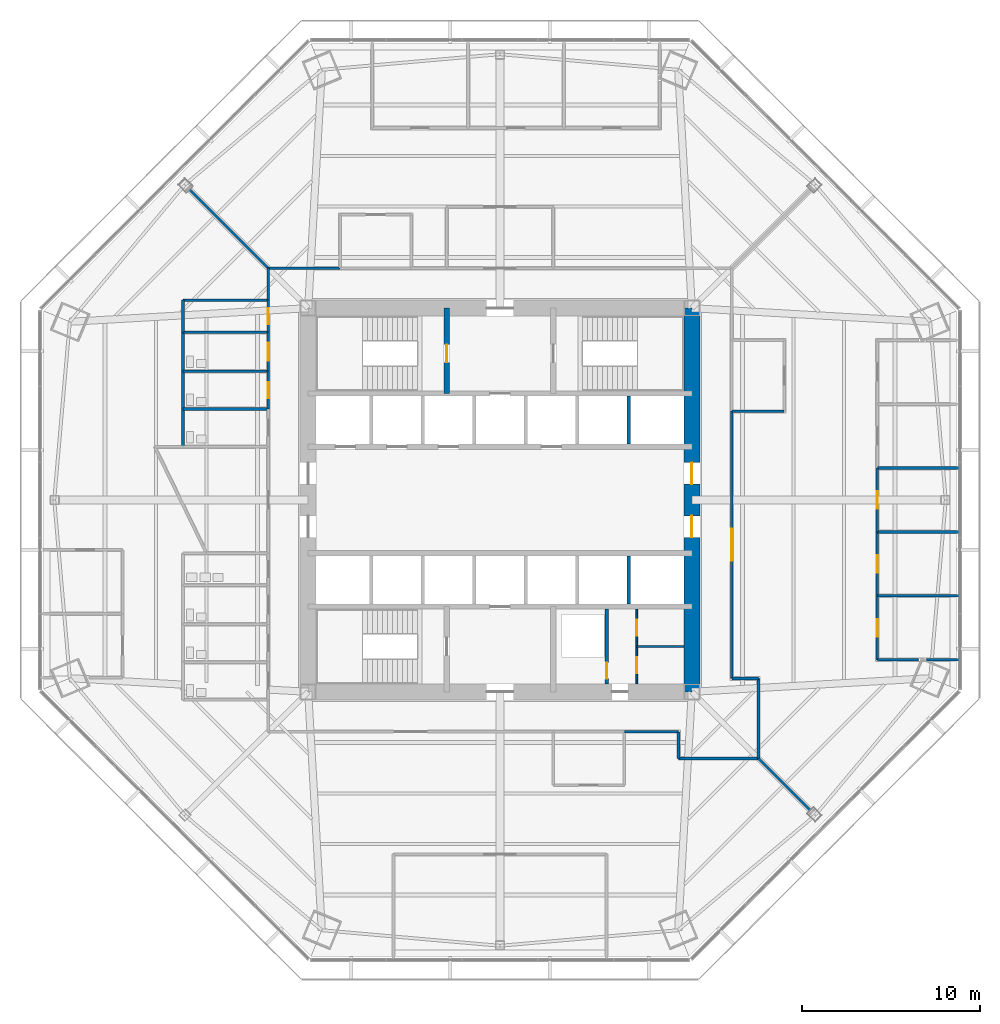
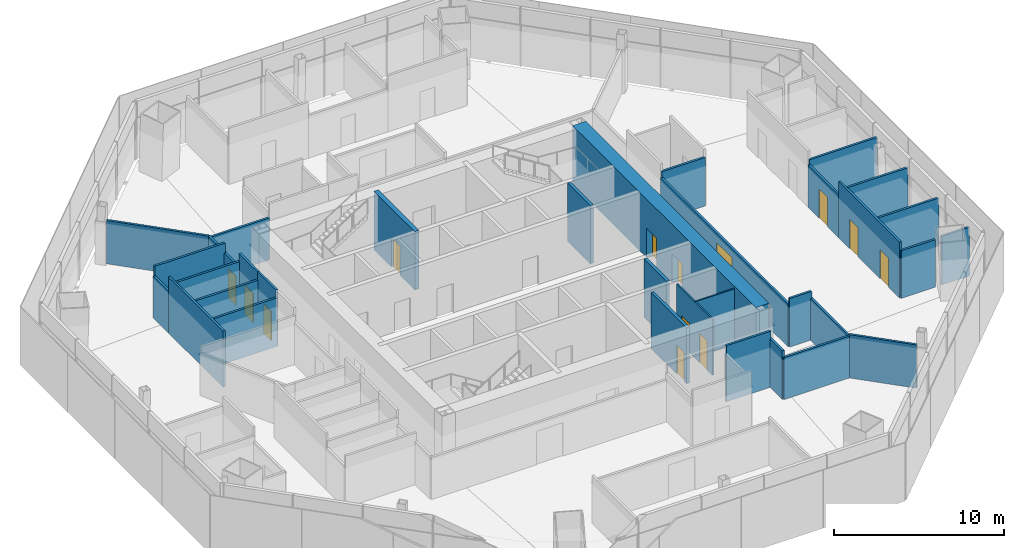
# One storey, part 10 of 15: 34 walls, 13 doors, 13 openings.
"""IFC4 building model written with IfcOpenShell, lengths in metres."""

from ifc_helpers import new_model, si_unit, direction, frame, frame_2d, origin, place, context, subcontext, project, spatial, rectangle, extrude, material, layer, layer_set, type_object, element, fill, save


model = new_model("IFC4")

# Units and contexts
model_context = context("Model", 3, precision=1e-05, world=origin(), true_north=direction((0.0, 1.0)))
body_context = subcontext(model_context, "Body", "Model", "MODEL_VIEW")
ifc_project = project(units=[si_unit("LENGTHUNIT", "METRE"), si_unit("AREAUNIT", "SQUARE_METRE"), si_unit("VOLUMEUNIT", "CUBIC_METRE"), si_unit("PLANEANGLEUNIT", "RADIAN"), si_unit("MASSUNIT", "GRAM", prefix="KILO")], contexts=[model_context])

# Site, building, storey
site_placement = place(None, origin())
site = spatial("IfcSite", under=ifc_project, at=site_placement, CompositionType="ELEMENT")
building_placement = place(site_placement, origin())
building = spatial("IfcBuilding", under=site, at=building_placement, Name="Mashrafa Tower", CompositionType="ELEMENT")
storey_placement = place(building_placement, frame((0.0, 0.0, 75.0)))
storey = spatial("IfcBuildingStorey", under=building, at=storey_placement, Name="L16", CompositionType="ELEMENT", Elevation=75.0)

# Wall, opening, door
ifc_material_1 = material(Name="Concrete masonry unit", Category="masonry")
ifc_layer_1 = layer(ifc_material_1, 0.199951171875)
ifc_layer_set_1 = layer_set([ifc_layer_1], Name="Blockwork wall 200 2 hr")
wall_type_1 = type_object("IfcWallType", Name="Blockwork wall 200 2 hr", PredefinedType="PARTITIONING", material=ifc_layer_set_1)
wall_1_placement = place(storey_placement, frame((6.0, -10.35009765625, 0.0), z_axis=(0.0, 0.0, 1.0), x_axis=(0.0, 1.0, 0.0)))
wall_1 = element("IfcWall", 1, at=wall_1_placement, inside=storey, type_object=wall_type_1, Name="Riser enclosure wall L16", PredefinedType="PARTITIONING", context=body_context, shape_type="SweptSolid", body=[
    extrude(rectangle(XDim=4.2001953125, YDim=0.199951171875, at=frame_2d((2.10009765625, 0.0))), origin(), (0.0, 0.0, 1.0), 4.034912109375),
])
opening_1_placement = place(wall_1_placement, frame((0.300048828125, 0.0, 0.0)))
opening_1 = element("IfcOpeningElement", 2, at=opening_1_placement, cuts=wall_1, Name="Opening 16.038", PredefinedType="OPENING", context=body_context, shape_type="SweptSolid", body=[
    extrude(rectangle(XDim=0.89990234375, YDim=2.10009765625, at=frame_2d((0.449951171875, 1.050048828125))), frame((0.0, 0.10986328125, 0.0), z_axis=(0.0, -1.0, 0.0), x_axis=(1.0, 0.0, 0.0)), (0.0, 0.0, 1.0), 0.219970703125),
])
ifc_material_2 = material(Name="Steel door", Category="steel")
door_type_1 = type_object("IfcDoorType", Name="Service door 900 x 2100 90 min", OperationType="USERDEFINED", PredefinedType="DOOR", material=ifc_material_2)
door_1_placement = place(opening_1_placement, origin())
door_1 = element("IfcDoor", 3, at=door_1_placement, inside=storey, type_object=door_type_1, Name="Riser door L16", OperationType="SINGLE_SWING_LEFT", OverallHeight=2.10009765625, OverallWidth=0.89990234375, PredefinedType="DOOR", context=body_context, shape_type="SweptSolid", body=[
    extrude(rectangle(XDim=0.89990234375, YDim=2.10009765625, at=frame_2d((0.449951171875, 1.050048828125))), frame((0.0, 0.02490234375, 0.0), z_axis=(0.0, -1.0, 0.0), x_axis=(1.0, 0.0, 0.0)), (0.0, 0.0, 1.0), 0.050048828125),
])
fill(opening_1, door_1)

ifc_material_3 = material(Name="Concrete C60/75", Category="concrete")
ifc_layer_2 = layer(ifc_material_3, 0.300048828125)
ifc_layer_set_2 = layer_set([ifc_layer_2], Name="Core wall 300 C60/75")
wall_type_2 = type_object("IfcWallType", Name="Core wall 300 C60/75", PredefinedType="SOLIDWALL", material=ifc_layer_set_2)
wall_2_placement = place(storey_placement, frame((-3.0, 6.0, 0.0), z_axis=(0.0, 0.0, 1.0), x_axis=(0.0, 1.0, 0.0)))
wall_2 = element("IfcWall", 4, at=wall_2_placement, inside=storey, type_object=wall_type_2, Name="Core wall CX-NW L16", PredefinedType="SOLIDWALL", context=body_context, shape_type="SweptSolid", body=[
    extrude(rectangle(XDim=4.800048828125, YDim=0.300048828125, at=frame_2d((2.39990234375, 0.0))), origin(), (0.0, 0.0, 1.0), 4.199951171875),
])
opening_2_placement = place(wall_2_placement, frame((1.75, 0.0, 0.0)))
opening_2 = element("IfcOpeningElement", 5, at=opening_2_placement, cuts=wall_2, Name="Opening 16.034", PredefinedType="OPENING", context=body_context, shape_type="SweptSolid", body=[
    extrude(rectangle(XDim=1.0, YDim=2.10009765625, at=frame_2d((0.5, 1.050048828125))), frame((0.0, 0.159912109375, 0.0), z_axis=(0.0, -1.0, 0.0), x_axis=(1.0, 0.0, 0.0)), (0.0, 0.0, 1.0), 0.320068359375),
])
ifc_material_4 = material(Name="Steel door", Category="steel")
door_type_2 = type_object("IfcDoorType", Name="Stair door 1000 x 2100 90 min", OperationType="USERDEFINED", PredefinedType="DOOR", material=ifc_material_4)
door_2_placement = place(opening_2_placement, origin())
door_2 = element("IfcDoor", 6, at=door_2_placement, inside=storey, type_object=door_type_2, Name="Stair S1 door L16", OperationType="SINGLE_SWING_LEFT", OverallHeight=2.10009765625, OverallWidth=1.0, PredefinedType="DOOR", context=body_context, shape_type="SweptSolid", body=[
    extrude(rectangle(XDim=1.0, YDim=2.10009765625, at=frame_2d((0.5, 1.050048828125))), frame((0.0, 0.02490234375, 0.0), z_axis=(0.0, -1.0, 0.0), x_axis=(1.0, 0.0, 0.0)), (0.0, 0.0, 1.0), 0.050048828125),
])
fill(opening_2, door_2)

# Wall, openings, doors
ifc_material_5 = material(Name="Concrete C60/75", Category="concrete")
ifc_layer_3 = layer(ifc_material_5, 0.89990234375)
ifc_layer_set_3 = layer_set([ifc_layer_3], Name="Core wall 900 C60/75")
wall_type_3 = type_object("IfcWallType", Name="Core wall 900 C60/75", PredefinedType="SOLIDWALL", material=ifc_layer_set_3)
wall_3_placement = place(storey_placement, frame((10.800048828125, -10.800048828125, 0.0), z_axis=(0.0, 0.0, 1.0), x_axis=(0.0, 1.0, 0.0)))
wall_3 = element("IfcWall", 7, at=wall_3_placement, inside=storey, type_object=wall_type_3, Name="Core wall CW-E L16", PredefinedType="SOLIDWALL", context=body_context, shape_type="SweptSolid", body=[
    extrude(rectangle(XDim=21.60009765625, YDim=0.89990234375, at=frame_2d((10.800048828125, 0.0))), origin(), (0.0, 0.0, 1.0), 4.199951171875),
])
opening_3_placement = place(wall_3_placement, frame((11.699951171875, 0.0, 0.0)))
opening_3 = element("IfcOpeningElement", 8, at=opening_3_placement, cuts=wall_3, Name="Opening 16.028", PredefinedType="OPENING", context=body_context, shape_type="SweptSolid", body=[
    extrude(rectangle(XDim=1.199951171875, YDim=2.10009765625, at=frame_2d((0.60009765625, 1.050048828125))), frame((0.0, 0.4599609375, 0.0), z_axis=(0.0, -1.0, 0.0), x_axis=(1.0, 0.0, 0.0)), (0.0, 0.0, 1.0), 0.919921875),
])
opening_4_placement = place(wall_3_placement, frame((8.699951171875, 0.0, 0.0)))
opening_4 = element("IfcOpeningElement", 9, at=opening_4_placement, cuts=wall_3, Name="Opening 16.030", PredefinedType="OPENING", context=body_context, shape_type="SweptSolid", body=[
    extrude(rectangle(XDim=1.199951171875, YDim=2.10009765625, at=frame_2d((0.60009765625, 1.050048828125))), frame((0.0, 0.4599609375, 0.0), z_axis=(0.0, -1.0, 0.0), x_axis=(1.0, 0.0, 0.0)), (0.0, 0.0, 1.0), 0.919921875),
])
ifc_material_6 = material(Name="Steel door", Category="steel")
door_type_3 = type_object("IfcDoorType", Name="Lift hall door 1200 x 2100 90 min", OperationType="USERDEFINED", PredefinedType="DOOR", material=ifc_material_6)
door_3_placement = place(opening_3_placement, frame((1.199951171875, 0.0, 0.0), z_axis=(0.0, 0.0, 1.0), x_axis=(-1.0, 0.0, 0.0)))
door_3 = element("IfcDoor", 10, at=door_3_placement, inside=storey, type_object=door_type_3, Name="Lift hall door east L16", OperationType="SINGLE_SWING_LEFT", OverallHeight=2.10009765625, OverallWidth=1.199951171875, PredefinedType="DOOR", context=body_context, shape_type="SweptSolid", body=[
    extrude(rectangle(XDim=1.199951171875, YDim=2.10009765625, at=frame_2d((0.60009765625, 1.050048828125))), frame((0.0, 0.02490234375, 0.0), z_axis=(0.0, -1.0, 0.0), x_axis=(1.0, 0.0, 0.0)), (0.0, 0.0, 1.0), 0.050048828125),
])
fill(opening_3, door_3)
door_4_placement = place(opening_4_placement, frame((1.199951171875, 0.0, 0.0), z_axis=(0.0, 0.0, 1.0), x_axis=(-1.0, 0.0, 0.0)))
door_4 = element("IfcDoor", 11, at=door_4_placement, inside=storey, type_object=door_type_3, Name="Lift hall door east L16", OperationType="SINGLE_SWING_RIGHT", OverallHeight=2.10009765625, OverallWidth=1.199951171875, PredefinedType="DOOR", context=body_context, shape_type="SweptSolid", body=[
    extrude(rectangle(XDim=1.199951171875, YDim=2.10009765625, at=frame_2d((0.60009765625, 1.050048828125))), frame((0.0, 0.02490234375, 0.0), z_axis=(0.0, -1.0, 0.0), x_axis=(1.0, 0.0, 0.0)), (0.0, 0.0, 1.0), 0.050048828125),
])
fill(opening_4, door_4)

# Wall, opening, door
ifc_material_7 = material(Name="Gypsum board on steel studs", Category="steel")
ifc_layer_4 = layer(ifc_material_7, 0.14990234375)
ifc_layer_set_4 = layer_set([ifc_layer_4], Name="Corridor partition 150 1 hr")
wall_type_4 = type_object("IfcWallType", Name="Corridor partition 150 1 hr", PredefinedType="PARTITIONING", material=ifc_layer_set_4)
wall_4_placement = place(storey_placement, frame((-13.050048828125, 7.2509765625, 0.0), z_axis=(0.0, 0.0, 1.0), x_axis=(0.0, -1.0, 0.0)))
wall_4 = element("IfcWall", 12, at=wall_4_placement, inside=storey, type_object=wall_type_4, Name="Corridor wall L16-002", PredefinedType="PARTITIONING", context=body_context, shape_type="SweptSolid", body=[
    extrude(rectangle(XDim=2.126953125, YDim=0.14990234375, at=frame_2d((1.0634765625, 0.0))), origin(), (0.0, 0.0, 1.0), 4.034912109375),
])
opening_5_placement = place(wall_4_placement, frame((0.613525390625, 0.0, 0.0)))
opening_5 = element("IfcOpeningElement", 13, at=opening_5_placement, cuts=wall_4, Name="Opening 16.002", PredefinedType="OPENING", context=body_context, shape_type="SweptSolid", body=[
    extrude(rectangle(XDim=0.89990234375, YDim=2.10009765625, at=frame_2d((0.449951171875, 1.050048828125))), frame((0.0, 0.0849609375, 0.0), z_axis=(0.0, -1.0, 0.0), x_axis=(1.0, 0.0, 0.0)), (0.0, 0.0, 1.0), 0.169921875),
])
ifc_material_8 = material(Name="Timber door", Category="wood")
door_type_4 = type_object("IfcDoorType", Name="Toilet door 900 x 2100", OperationType="USERDEFINED", PredefinedType="DOOR", material=ifc_material_8)
door_5_placement = place(opening_5_placement, frame((0.89990234375, 0.0, 0.0), z_axis=(0.0, 0.0, 1.0), x_axis=(-1.0, 0.0, 0.0)))
door_5 = element("IfcDoor", 14, at=door_5_placement, inside=storey, type_object=door_type_4, Name="WC Male L16 N door", OperationType="SINGLE_SWING_LEFT", OverallHeight=2.10009765625, OverallWidth=0.89990234375, PredefinedType="DOOR", context=body_context, shape_type="SweptSolid", body=[
    extrude(rectangle(XDim=0.89990234375, YDim=2.10009765625, at=frame_2d((0.449951171875, 1.050048828125))), frame((0.0, 0.02490234375, 0.0), z_axis=(0.0, -1.0, 0.0), x_axis=(1.0, 0.0, 0.0)), (0.0, 0.0, 1.0), 0.050048828125),
])
fill(opening_5, door_5)

wall_5_placement = place(storey_placement, frame((-13.050048828125, 9.450927734375, 0.0), z_axis=(0.0, 0.0, 1.0), x_axis=(0.0, -1.0, 0.0)))
wall_5 = element("IfcWall", 15, at=wall_5_placement, inside=storey, type_object=wall_type_4, Name="Corridor wall L16-003", PredefinedType="PARTITIONING", context=body_context, shape_type="SweptSolid", body=[
    extrude(rectangle(XDim=2.201904296875, YDim=0.14990234375, at=frame_2d((1.10107421875, 0.0))), origin(), (0.0, 0.0, 1.0), 4.034912109375),
])
opening_6_placement = place(wall_5_placement, frame((0.60107421875, 0.0, 0.0)))
opening_6 = element("IfcOpeningElement", 16, at=opening_6_placement, cuts=wall_5, Name="Opening 16.003", PredefinedType="OPENING", context=body_context, shape_type="SweptSolid", body=[
    extrude(rectangle(XDim=1.0, YDim=2.10009765625, at=frame_2d((0.5, 1.050048828125))), frame((0.0, 0.0849609375, 0.0), z_axis=(0.0, -1.0, 0.0), x_axis=(1.0, 0.0, 0.0)), (0.0, 0.0, 1.0), 0.169921875),
])
ifc_material_9 = material(Name="Timber door", Category="wood")
door_type_5 = type_object("IfcDoorType", Name="Accessible toilet door 1000 x 2100", OperationType="USERDEFINED", PredefinedType="DOOR", material=ifc_material_9)
door_6_placement = place(opening_6_placement, frame((1.0, 0.0, 0.0), z_axis=(0.0, 0.0, 1.0), x_axis=(-1.0, 0.0, 0.0)))
door_6 = element("IfcDoor", 17, at=door_6_placement, inside=storey, type_object=door_type_5, Name="Accessible WC L16 N door", OperationType="SINGLE_SWING_RIGHT", OverallHeight=2.10009765625, OverallWidth=1.0, PredefinedType="DOOR", context=body_context, shape_type="SweptSolid", body=[
    extrude(rectangle(XDim=1.0, YDim=2.10009765625, at=frame_2d((0.5, 1.050048828125))), frame((0.0, 0.02490234375, 0.0), z_axis=(0.0, -1.0, 0.0), x_axis=(1.0, 0.0, 0.0)), (0.0, 0.0, 1.0), 0.050048828125),
])
fill(opening_6, door_6)

wall_6_placement = place(storey_placement, frame((-13.050048828125, 11.2509765625, 0.0), z_axis=(0.0, 0.0, 1.0), x_axis=(0.0, -1.0, 0.0)))
wall_6 = element("IfcWall", 18, at=wall_6_placement, inside=storey, type_object=wall_type_4, Name="Corridor wall L16-004", PredefinedType="PARTITIONING", context=body_context, shape_type="SweptSolid", body=[
    extrude(rectangle(XDim=1.802001953125, YDim=0.14990234375, at=frame_2d((0.90087890625, 0.0))), origin(), (0.0, 0.0, 1.0), 3.01416015625),
])
opening_7_placement = place(wall_6_placement, frame((0.450927734375, 0.0, 0.0)))
opening_7 = element("IfcOpeningElement", 19, at=opening_7_placement, cuts=wall_6, Name="Opening 16.004", PredefinedType="OPENING", context=body_context, shape_type="SweptSolid", body=[
    extrude(rectangle(XDim=0.89990234375, YDim=2.10009765625, at=frame_2d((0.449951171875, 1.050048828125))), frame((0.0, 0.0849609375, 0.0), z_axis=(0.0, -1.0, 0.0), x_axis=(1.0, 0.0, 0.0)), (0.0, 0.0, 1.0), 0.169921875),
])
ifc_material_10 = material(Name="Timber door", Category="wood")
door_type_6 = type_object("IfcDoorType", Name="Store door 900 x 2100", OperationType="USERDEFINED", PredefinedType="DOOR", material=ifc_material_10)
door_7_placement = place(opening_7_placement, frame((0.89990234375, 0.0, 0.0), z_axis=(0.0, 0.0, 1.0), x_axis=(-1.0, 0.0, 0.0)))
door_7 = element("IfcDoor", 20, at=door_7_placement, inside=storey, type_object=door_type_6, Name="Cleaner's Store L16 N door", OperationType="SINGLE_SWING_LEFT", OverallHeight=2.10009765625, OverallWidth=0.89990234375, PredefinedType="DOOR", context=body_context, shape_type="SweptSolid", body=[
    extrude(rectangle(XDim=0.89990234375, YDim=2.10009765625, at=frame_2d((0.449951171875, 1.050048828125))), frame((0.0, 0.02490234375, 0.0), z_axis=(0.0, -1.0, 0.0), x_axis=(1.0, 0.0, 0.0)), (0.0, 0.0, 1.0), 0.050048828125),
])
fill(opening_7, door_7)

# Walls
wall_7_placement = place(storey_placement, frame((-8.9990234375, 13.050048828125, 0.0), z_axis=(0.0, 0.0, 1.0), x_axis=(-1.0, 0.0, 0.0)))
element("IfcWall", 21, at=wall_7_placement, inside=storey, type_object=wall_type_4, Name="Corridor wall L16-014", PredefinedType="PARTITIONING", context=body_context, shape_type="SweptSolid", body=[
    extrude(rectangle(XDim=4.051025390625, YDim=0.14990234375, at=frame_2d((2.025390625, 0.0))), origin(), (0.0, 0.0, 1.0), 3.01416015625),
])
wall_8_placement = place(storey_placement, frame((14.550048828125, -14.550048828125, 0.0), z_axis=(0.0, 0.0, 1.0), x_axis=(0.0, 1.0, 0.0)))
element("IfcWall", 22, at=wall_8_placement, inside=storey, type_object=wall_type_4, Name="Corridor wall L16-018", PredefinedType="PARTITIONING", context=body_context, shape_type="SweptSolid", body=[
    extrude(rectangle(XDim=4.5, YDim=0.14990234375, at=frame_2d((2.25, 0.0))), origin(), (0.0, 0.0, 1.0), 3.01416015625),
])
wall_9_placement = place(storey_placement, frame((14.550048828125, -10.050048828125, 0.0), z_axis=(0.0, 0.0, 1.0), x_axis=(-1.0, 0.0, 0.0)))
element("IfcWall", 23, at=wall_9_placement, inside=storey, type_object=wall_type_4, Name="Corridor wall L16-019", PredefinedType="PARTITIONING", context=body_context, shape_type="SweptSolid", body=[
    extrude(rectangle(XDim=1.5, YDim=0.14990234375, at=frame_2d((0.75, 0.0))), origin(), (0.0, 0.0, 1.0), 3.49169921875),
])

# Wall, opening, door
wall_10_placement = place(storey_placement, frame((13.050048828125, -10.050048828125, 0.0), z_axis=(0.0, 0.0, 1.0), x_axis=(0.0, 1.0, 0.0)))
wall_10 = element("IfcWall", 24, at=wall_10_placement, inside=storey, type_object=wall_type_4, Name="Corridor wall L16-020", PredefinedType="PARTITIONING", context=body_context, shape_type="SweptSolid", body=[
    extrude(rectangle(XDim=15.051025390625, YDim=0.14990234375, at=frame_2d((7.525390625, 0.0))), origin(), (0.0, 0.0, 1.0), 3.06494140625),
])
opening_8_placement = place(wall_10_placement, frame((6.62548828125, 0.0, 0.0)))
opening_8 = element("IfcOpeningElement", 25, at=opening_8_placement, cuts=wall_10, Name="Opening 16.026", PredefinedType="OPENING", context=body_context, shape_type="SweptSolid", body=[
    extrude(rectangle(XDim=1.800048828125, YDim=2.39990234375, at=frame_2d((0.89990234375, 1.199951171875))), frame((0.0, 0.0849609375, 0.0), z_axis=(0.0, -1.0, 0.0), x_axis=(1.0, 0.0, 0.0)), (0.0, 0.0, 1.0), 0.169921875),
])
ifc_material_11 = material(Name="Timber door", Category="wood")
door_type_7 = type_object("IfcDoorType", Name="Door pair 1800 x 2400", OperationType="DOUBLE_DOOR_SINGLE_SWING", PredefinedType="DOOR", material=ifc_material_11)
door_8_placement = place(opening_8_placement, frame((1.800048828125, 0.0, 0.0), z_axis=(0.0, 0.0, 1.0), x_axis=(-1.0, 0.0, 0.0)))
door_8 = element("IfcDoor", 26, at=door_8_placement, inside=storey, type_object=door_type_7, Name="Office Tenancy 16-E door", OperationType="DOUBLE_DOOR_SINGLE_SWING", OverallHeight=2.39990234375, OverallWidth=1.800048828125, PredefinedType="DOOR", context=body_context, shape_type="SweptSolid", body=[
    extrude(rectangle(XDim=1.800048828125, YDim=2.39990234375, at=frame_2d((0.89990234375, 1.199951171875))), frame((0.0, 0.02490234375, 0.0), z_axis=(0.0, -1.0, 0.0), x_axis=(1.0, 0.0, 0.0)), (0.0, 0.0, 1.0), 0.050048828125),
])
fill(opening_8, door_8)

# Walls
wall_11_placement = place(storey_placement, frame((-13.050048828125, 13.050048828125, 0.0), z_axis=(0.0, 0.0, 1.0), x_axis=(0.0, -1.0, 0.0)))
element("IfcWall", 27, at=wall_11_placement, inside=storey, type_object=wall_type_4, Name="Corridor wall L16-023", PredefinedType="PARTITIONING", context=body_context, shape_type="SweptSolid", body=[
    extrude(rectangle(XDim=1.801025390625, YDim=0.14990234375, at=frame_2d((0.900390625, 0.0))), origin(), (0.0, 0.0, 1.0), 3.113037109375),
])
wall_12_placement = place(storey_placement, frame((6.9990234375, -13.050048828125, 0.0), z_axis=(0.0, 0.0, 1.0), x_axis=(1.0, 0.0, 0.0)))
element("IfcWall", 28, at=wall_12_placement, inside=storey, type_object=wall_type_4, Name="Corridor wall L16-024", PredefinedType="PARTITIONING", context=body_context, shape_type="SweptSolid", body=[
    extrude(rectangle(XDim=3.051025390625, YDim=0.14990234375, at=frame_2d((1.525390625, 0.0))), origin(), (0.0, 0.0, 1.0), 4.034912109375),
])
wall_13_placement = place(storey_placement, frame((10.050048828125, -13.050048828125, 0.0), z_axis=(0.0, 0.0, 1.0), x_axis=(0.0, -1.0, 0.0)))
element("IfcWall", 29, at=wall_13_placement, inside=storey, type_object=wall_type_4, Name="Corridor wall L16-025", PredefinedType="PARTITIONING", context=body_context, shape_type="SweptSolid", body=[
    extrude(rectangle(XDim=1.5, YDim=0.14990234375, at=frame_2d((0.75, 0.0))), origin(), (0.0, 0.0, 1.0), 3.49169921875),
])
wall_14_placement = place(storey_placement, frame((10.050048828125, -14.550048828125, 0.0), z_axis=(0.0, 0.0, 1.0), x_axis=(1.0, 0.0, 0.0)))
element("IfcWall", 30, at=wall_14_placement, inside=storey, type_object=wall_type_4, Name="Corridor wall L16-026", PredefinedType="PARTITIONING", context=body_context, shape_type="SweptSolid", body=[
    extrude(rectangle(XDim=4.5, YDim=0.14990234375, at=frame_2d((2.25, 0.0))), origin(), (0.0, 0.0, 1.0), 3.01416015625),
])

# Wall, openings, doors
ifc_material_12 = material(Name="Gypsum board on steel studs", Category="steel")
ifc_layer_5 = layer(ifc_material_12, 0.10009765625)
ifc_layer_set_5 = layer_set([ifc_layer_5], Name="Partition 100 1 hr")
wall_type_5 = type_object("IfcWallType", Name="Partition 100 1 hr", PredefinedType="PARTITIONING", material=ifc_layer_set_5)
wall_15_placement = place(storey_placement, frame((7.699951171875, -10.35009765625, 0.0), z_axis=(0.0, 0.0, 1.0), x_axis=(0.0, 1.0, 0.0)))
wall_15 = element("IfcWall", 31, at=wall_15_placement, inside=storey, type_object=wall_type_5, Name="Services lobby partition A L16", PredefinedType="PARTITIONING", context=body_context, shape_type="SweptSolid", body=[
    extrude(rectangle(XDim=4.2001953125, YDim=0.10009765625, at=frame_2d((2.10009765625, 0.0))), origin(), (0.0, 0.0, 1.0), 4.034912109375),
])
opening_9_placement = place(wall_15_placement, frame((2.699951171875, 0.0, 0.0)))
opening_9 = element("IfcOpeningElement", 32, at=opening_9_placement, cuts=wall_15, Name="Opening 16.039", PredefinedType="OPENING", context=body_context, shape_type="SweptSolid", body=[
    extrude(rectangle(XDim=0.89990234375, YDim=2.10009765625, at=frame_2d((0.449951171875, 1.050048828125))), frame((0.0, 0.06005859375, 0.0), z_axis=(0.0, -1.0, 0.0), x_axis=(1.0, 0.0, 0.0)), (0.0, 0.0, 1.0), 0.1201171875),
])
opening_10_placement = place(wall_15_placement, frame((0.60009765625, 0.0, 0.0)))
opening_10 = element("IfcOpeningElement", 33, at=opening_10_placement, cuts=wall_15, Name="Opening 16.040", PredefinedType="OPENING", context=body_context, shape_type="SweptSolid", body=[
    extrude(rectangle(XDim=0.89990234375, YDim=2.10009765625, at=frame_2d((0.449951171875, 1.050048828125))), frame((0.0, 0.06005859375, 0.0), z_axis=(0.0, -1.0, 0.0), x_axis=(1.0, 0.0, 0.0)), (0.0, 0.0, 1.0), 0.1201171875),
])
door_9_placement = place(opening_9_placement, frame((0.89990234375, 0.0, 0.0), z_axis=(0.0, 0.0, 1.0), x_axis=(-1.0, 0.0, 0.0)))
door_9 = element("IfcDoor", 34, at=door_9_placement, inside=storey, type_object=door_type_6, Name="Communications Room L16 door", OperationType="SINGLE_SWING_RIGHT", OverallHeight=2.10009765625, OverallWidth=0.89990234375, PredefinedType="DOOR", context=body_context, shape_type="SweptSolid", body=[
    extrude(rectangle(XDim=0.89990234375, YDim=2.10009765625, at=frame_2d((0.449951171875, 1.050048828125))), frame((0.0, 0.02490234375, 0.0), z_axis=(0.0, -1.0, 0.0), x_axis=(1.0, 0.0, 0.0)), (0.0, 0.0, 1.0), 0.050048828125),
])
fill(opening_9, door_9)
door_10_placement = place(opening_10_placement, frame((0.89990234375, 0.0, 0.0), z_axis=(0.0, 0.0, 1.0), x_axis=(-1.0, 0.0, 0.0)))
door_10 = element("IfcDoor", 35, at=door_10_placement, inside=storey, type_object=door_type_6, Name="Cleaner's Store L16 door", OperationType="SINGLE_SWING_LEFT", OverallHeight=2.10009765625, OverallWidth=0.89990234375, PredefinedType="DOOR", context=body_context, shape_type="SweptSolid", body=[
    extrude(rectangle(XDim=0.89990234375, YDim=2.10009765625, at=frame_2d((0.449951171875, 1.050048828125))), frame((0.0, 0.02490234375, 0.0), z_axis=(0.0, -1.0, 0.0), x_axis=(1.0, 0.0, 0.0)), (0.0, 0.0, 1.0), 0.050048828125),
])
fill(opening_10, door_10)

# Walls
wall_16_placement = place(storey_placement, frame((7.699951171875, -8.25, 0.0), z_axis=(0.0, 0.0, 1.0), x_axis=(1.0, 0.0, 0.0)))
element("IfcWall", 36, at=wall_16_placement, inside=storey, type_object=wall_type_5, Name="Services lobby partition B L16", PredefinedType="PARTITIONING", context=body_context, shape_type="SweptSolid", body=[
    extrude(rectangle(XDim=2.650146484375, YDim=0.10009765625, at=frame_2d((1.3251953125, 0.0))), origin(), (0.0, 0.0, 1.0), 4.034912109375),
])
ifc_material_13 = material(Name="Gypsum board on steel studs", Category="steel")
ifc_layer_6 = layer(ifc_material_13, 0.14990234375)
ifc_layer_set_6 = layer_set([ifc_layer_6], Name="Partition 150")
wall_type_6 = type_object("IfcWallType", Name="Partition 150", PredefinedType="PARTITIONING", material=ifc_layer_set_6)
wall_17_placement = place(storey_placement, frame((-13.050048828125, 5.125, 0.0), z_axis=(0.0, 0.0, 1.0), x_axis=(-1.0, 0.0, 0.0)))
element("IfcWall", 37, at=wall_17_placement, inside=storey, type_object=wall_type_6, Name="Partition wall L16-027", PredefinedType="PARTITIONING", context=body_context, shape_type="SweptSolid", body=[
    extrude(rectangle(XDim=4.800048828125, YDim=0.14990234375, at=frame_2d((2.39990234375, 0.0))), origin(), (0.0, 0.0, 1.0), 3.49169921875),
])
wall_18_placement = place(storey_placement, frame((-17.85009765625, 3.0, 0.0), z_axis=(0.0, 0.0, 1.0), x_axis=(0.0, 1.0, 0.0)))
element("IfcWall", 38, at=wall_18_placement, inside=storey, type_object=wall_type_6, Name="Partition wall L16-029", PredefinedType="PARTITIONING", context=body_context, shape_type="SweptSolid", body=[
    extrude(rectangle(XDim=6.449951171875, YDim=0.14990234375, at=frame_2d((3.22509765625, 0.0))), origin(), (0.0, 0.0, 1.0), 4.034912109375),
])
for number, where, z_axis, x_axis, name in (
    (39, (-13.050048828125, 7.25, 0.0), (0.0, 0.0, 1.0), (-1.0, 0.0, 0.0), "Partition wall L16-030"),
    (40, (-13.050048828125, 9.449951171875, 0.0), (0.0, 0.0, 1.0), (-1.0, 0.0, 0.0), "Partition wall L16-032"),
):
    element("IfcWall", number, at=place(storey_placement, frame(where, z_axis=z_axis, x_axis=x_axis)), inside=storey, type_object=wall_type_6, Name=name, PredefinedType="PARTITIONING", context=body_context, shape_type="SweptSolid", body=[
        extrude(rectangle(XDim=4.800048828125, YDim=0.14990234375, at=frame_2d((2.39990234375, 0.0))), origin(), (0.0, 0.0, 1.0), 3.49169921875),
    ])
wall_19_placement = place(storey_placement, frame((-13.050048828125, 11.25, 0.0), z_axis=(0.0, 0.0, 1.0), x_axis=(-1.0, 0.0, 0.0)))
element("IfcWall", 41, at=wall_19_placement, inside=storey, type_object=wall_type_6, Name="Partition wall L16-034", PredefinedType="PARTITIONING", context=body_context, shape_type="SweptSolid", body=[
    extrude(rectangle(XDim=4.800048828125, YDim=0.14990234375, at=frame_2d((2.39990234375, 0.0))), origin(), (0.0, 0.0, 1.0), 3.715087890625),
])
wall_20_placement = place(storey_placement, frame((-17.85009765625, 11.25, 0.0), z_axis=(0.0, 0.0, 1.0), x_axis=(0.0, -1.0, 0.0)))
element("IfcWall", 42, at=wall_20_placement, inside=storey, type_object=wall_type_6, Name="Partition wall L16-035", PredefinedType="PARTITIONING", context=body_context, shape_type="SweptSolid", body=[
    extrude(rectangle(XDim=1.800048828125, YDim=0.14990234375, at=frame_2d((0.89990234375, 0.0))), origin(), (0.0, 0.0, 1.0), 3.01416015625),
])
wall_21_placement = place(storey_placement, frame((13.050048828125, 5.0, 0.0), z_axis=(0.0, 0.0, 1.0), x_axis=(1.0, 0.0, 0.0)))
element("IfcWall", 43, at=wall_21_placement, inside=storey, type_object=wall_type_6, Name="Partition wall L16-054", PredefinedType="PARTITIONING", context=body_context, shape_type="SweptSolid", body=[
    extrude(rectangle(XDim=2.949951171875, YDim=0.14990234375, at=frame_2d((1.47509765625, 0.0))), origin(), (0.0, 0.0, 1.0), 3.49169921875),
])
wall_22_placement = place(storey_placement, frame((25.875, -5.39990234375, 0.0), z_axis=(0.0, 0.0, 1.0), x_axis=(-1.0, 0.0, 0.0)))
element("IfcWall", 44, at=wall_22_placement, inside=storey, type_object=wall_type_6, Name="Partition wall L16-071", PredefinedType="PARTITIONING", context=body_context, shape_type="SweptSolid", body=[
    extrude(rectangle(XDim=4.6318359375, YDim=0.14990234375, at=frame_2d((2.31591796875, 0.0))), origin(), (0.0, 0.0, 1.0), 3.423095703125),
])

# Wall, openings, doors
wall_23_placement = place(storey_placement, frame((21.2431640625, -9.0, 0.0), z_axis=(0.0, 0.0, 1.0), x_axis=(0.0, 1.0, 0.0)))
wall_23 = element("IfcWall", 45, at=wall_23_placement, inside=storey, type_object=wall_type_6, Name="Partition wall L16-072", PredefinedType="PARTITIONING", context=body_context, shape_type="SweptSolid", body=[
    extrude(rectangle(XDim=7.199951171875, YDim=0.14990234375, at=frame_2d((3.60009765625, 0.0))), origin(), (0.0, 0.0, 1.0), 4.034912109375),
])
opening_11_placement = place(wall_23_placement, frame((1.300048828125, 0.0, 0.0)))
opening_11 = element("IfcOpeningElement", 46, at=opening_11_placement, cuts=wall_23, Name="Opening 16.018", PredefinedType="OPENING", context=body_context, shape_type="SweptSolid", body=[
    extrude(rectangle(XDim=1.0, YDim=2.10009765625, at=frame_2d((0.5, 1.050048828125))), frame((0.0, 0.0849609375, 0.0), z_axis=(0.0, -1.0, 0.0), x_axis=(1.0, 0.0, 0.0)), (0.0, 0.0, 1.0), 0.169921875),
])
opening_12_placement = place(wall_23_placement, frame((4.89990234375, 0.0, 0.0)))
opening_12 = element("IfcOpeningElement", 47, at=opening_12_placement, cuts=wall_23, Name="Opening 16.019", PredefinedType="OPENING", context=body_context, shape_type="SweptSolid", body=[
    extrude(rectangle(XDim=1.0, YDim=2.10009765625, at=frame_2d((0.5, 1.050048828125))), frame((0.0, 0.0849609375, 0.0), z_axis=(0.0, -1.0, 0.0), x_axis=(1.0, 0.0, 0.0)), (0.0, 0.0, 1.0), 0.169921875),
])
ifc_material_14 = material(Name="Timber door", Category="wood")
door_type_8 = type_object("IfcDoorType", Name="Door 1000 x 2100", OperationType="USERDEFINED", PredefinedType="DOOR", material=ifc_material_14)
door_11_placement = place(opening_11_placement, frame((1.0, 0.0, 0.0), z_axis=(0.0, 0.0, 1.0), x_axis=(-1.0, 0.0, 0.0)))
door_11 = element("IfcDoor", 48, at=door_11_placement, inside=storey, type_object=door_type_8, Name="Office 16-E-1 door", OperationType="SINGLE_SWING_RIGHT", OverallHeight=2.10009765625, OverallWidth=1.0, PredefinedType="DOOR", context=body_context, shape_type="SweptSolid", body=[
    extrude(rectangle(XDim=1.0, YDim=2.10009765625, at=frame_2d((0.5, 1.050048828125))), frame((0.0, 0.02490234375, 0.0), z_axis=(0.0, -1.0, 0.0), x_axis=(1.0, 0.0, 0.0)), (0.0, 0.0, 1.0), 0.050048828125),
])
fill(opening_11, door_11)
door_12_placement = place(opening_12_placement, frame((1.0, 0.0, 0.0), z_axis=(0.0, 0.0, 1.0), x_axis=(-1.0, 0.0, 0.0)))
door_12 = element("IfcDoor", 49, at=door_12_placement, inside=storey, type_object=door_type_8, Name="Office 16-E-2 door", OperationType="SINGLE_SWING_RIGHT", OverallHeight=2.10009765625, OverallWidth=1.0, PredefinedType="DOOR", context=body_context, shape_type="SweptSolid", body=[
    extrude(rectangle(XDim=1.0, YDim=2.10009765625, at=frame_2d((0.5, 1.050048828125))), frame((0.0, 0.02490234375, 0.0), z_axis=(0.0, -1.0, 0.0), x_axis=(1.0, 0.0, 0.0)), (0.0, 0.0, 1.0), 0.050048828125),
])
fill(opening_12, door_12)

# Walls
wall_24_placement = place(storey_placement, frame((21.2431640625, -9.0, 0.0), z_axis=(0.0, 0.0, 1.0), x_axis=(1.0, 0.0, 0.0)))
element("IfcWall", 50, at=wall_24_placement, inside=storey, type_object=wall_type_6, Name="Partition wall L16-073", PredefinedType="PARTITIONING", context=body_context, shape_type="SweptSolid", body=[
    extrude(rectangle(XDim=2.318115234375, YDim=0.14990234375, at=frame_2d((1.1591796875, 0.0))), origin(), (0.0, 0.0, 1.0), 3.423095703125),
])
wall_25_placement = place(storey_placement, frame((23.998779296875, -9.0, 0.0), z_axis=(0.0, 0.0, 1.0), x_axis=(1.0, 0.0, 0.0)))
element("IfcWall", 51, at=wall_25_placement, inside=storey, type_object=wall_type_6, Name="Partition wall L16-074", PredefinedType="PARTITIONING", context=body_context, shape_type="SweptSolid", body=[
    extrude(rectangle(XDim=1.876220703125, YDim=0.14990234375, at=frame_2d((0.93798828125, 0.0))), origin(), (0.0, 0.0, 1.0), 3.49658203125),
])
for number, where, z_axis, x_axis, name in (
    (52, (25.875, -1.800048828125, 0.0), (0.0, 0.0, 1.0), (-1.0, 0.0, 0.0), "Partition wall L16-075"),
    (53, (25.875, 1.800048828125, 0.0), (0.0, 0.0, 1.0), (-1.0, 0.0, 0.0), "Partition wall L16-077"),
):
    element("IfcWall", number, at=place(storey_placement, frame(where, z_axis=z_axis, x_axis=x_axis)), inside=storey, type_object=wall_type_6, Name=name, PredefinedType="PARTITIONING", context=body_context, shape_type="SweptSolid", body=[
        extrude(rectangle(XDim=4.6318359375, YDim=0.14990234375, at=frame_2d((2.31591796875, 0.0))), origin(), (0.0, 0.0, 1.0), 3.423095703125),
    ])

# Wall, opening, door
wall_26_placement = place(storey_placement, frame((21.2431640625, 1.800048828125, 0.0), z_axis=(0.0, 0.0, 1.0), x_axis=(0.0, -1.0, 0.0)))
wall_26 = element("IfcWall", 54, at=wall_26_placement, inside=storey, type_object=wall_type_6, Name="Partition wall L16-078", PredefinedType="PARTITIONING", context=body_context, shape_type="SweptSolid", body=[
    extrude(rectangle(XDim=3.60009765625, YDim=0.14990234375, at=frame_2d((1.800048828125, 0.0))), origin(), (0.0, 0.0, 1.0), 3.06494140625),
])
opening_13_placement = place(wall_26_placement, frame((1.300048828125, 0.0, 0.0)))
opening_13 = element("IfcOpeningElement", 55, at=opening_13_placement, cuts=wall_26, Name="Opening 16.020", PredefinedType="OPENING", context=body_context, shape_type="SweptSolid", body=[
    extrude(rectangle(XDim=1.0, YDim=2.10009765625, at=frame_2d((0.5, 1.050048828125))), frame((0.0, 0.0849609375, 0.0), z_axis=(0.0, -1.0, 0.0), x_axis=(1.0, 0.0, 0.0)), (0.0, 0.0, 1.0), 0.169921875),
])
door_13_placement = place(opening_13_placement, origin())
door_13 = element("IfcDoor", 56, at=door_13_placement, inside=storey, type_object=door_type_8, Name="Office 16-E-3 door", OperationType="SINGLE_SWING_LEFT", OverallHeight=2.10009765625, OverallWidth=1.0, PredefinedType="DOOR", context=body_context, shape_type="SweptSolid", body=[
    extrude(rectangle(XDim=1.0, YDim=2.10009765625, at=frame_2d((0.5, 1.050048828125))), frame((0.0, 0.02490234375, 0.0), z_axis=(0.0, -1.0, 0.0), x_axis=(1.0, 0.0, 0.0)), (0.0, 0.0, 1.0), 0.050048828125),
])
fill(opening_13, door_13)

# Walls
wall_27_placement = place(storey_placement, frame((-17.46923828125, 17.46923828125, 0.0), z_axis=(0.0, 0.0, 1.0), x_axis=(0.707106781187, -0.707106781187, 0.0)))
element("IfcWall", 57, at=wall_27_placement, inside=storey, type_object=wall_type_6, Name="Partition wall L16-091", PredefinedType="PARTITIONING", context=body_context, shape_type="SweptSolid", body=[
    extrude(rectangle(XDim=6.249755859375, YDim=0.14990234375, at=frame_2d((3.125, 0.0))), origin(), (0.0, 0.0, 1.0), 3.113037109375),
])
wall_28_placement = place(storey_placement, frame((14.550048828125, -14.550048828125, 0.0), z_axis=(0.0, 0.0, 1.0), x_axis=(0.707106781187, -0.707106781187, 0.0)))
element("IfcWall", 58, at=wall_28_placement, inside=storey, type_object=wall_type_6, Name="Partition wall L16-092", PredefinedType="PARTITIONING", context=body_context, shape_type="SweptSolid", body=[
    extrude(rectangle(XDim=4.12841796875, YDim=0.14990234375, at=frame_2d((2.064208984375, 0.0))), origin(), (0.0, 0.0, 1.0), 3.113037109375),
])
ifc_material_15 = material(Name="Gypsum shaft wall on steel studs", Category="steel")
ifc_layer_7 = layer(ifc_material_15, 0.199951171875)
ifc_layer_set_7 = layer_set([ifc_layer_7], Name="Shaft divider wall 200 2 hr")
wall_type_7 = type_object("IfcWallType", Name="Shaft divider wall 200 2 hr", PredefinedType="PARTITIONING", material=ifc_layer_set_7)
for number, where, z_axis, x_axis, name in (
    (59, (7.25, 3.14990234375, 0.0), (0.0, 0.0, 1.0), (0.0, 1.0, 0.0), "Shaft divider wall N6 L16"),
    (60, (7.25, -5.85009765625, 0.0), (0.0, 0.0, 1.0), (0.0, 1.0, 0.0), "Shaft divider wall S6 L16"),
):
    element("IfcWall", number, at=place(storey_placement, frame(where, z_axis=z_axis, x_axis=x_axis)), inside=storey, type_object=wall_type_7, Name=name, PredefinedType="PARTITIONING", context=body_context, shape_type="SweptSolid", body=[
        extrude(rectangle(XDim=2.7001953125, YDim=0.199951171875, at=frame_2d((1.35009765625, 0.0))), origin(), (0.0, 0.0, 1.0), 4.199951171875),
    ])

save(model, "model.ifc")
